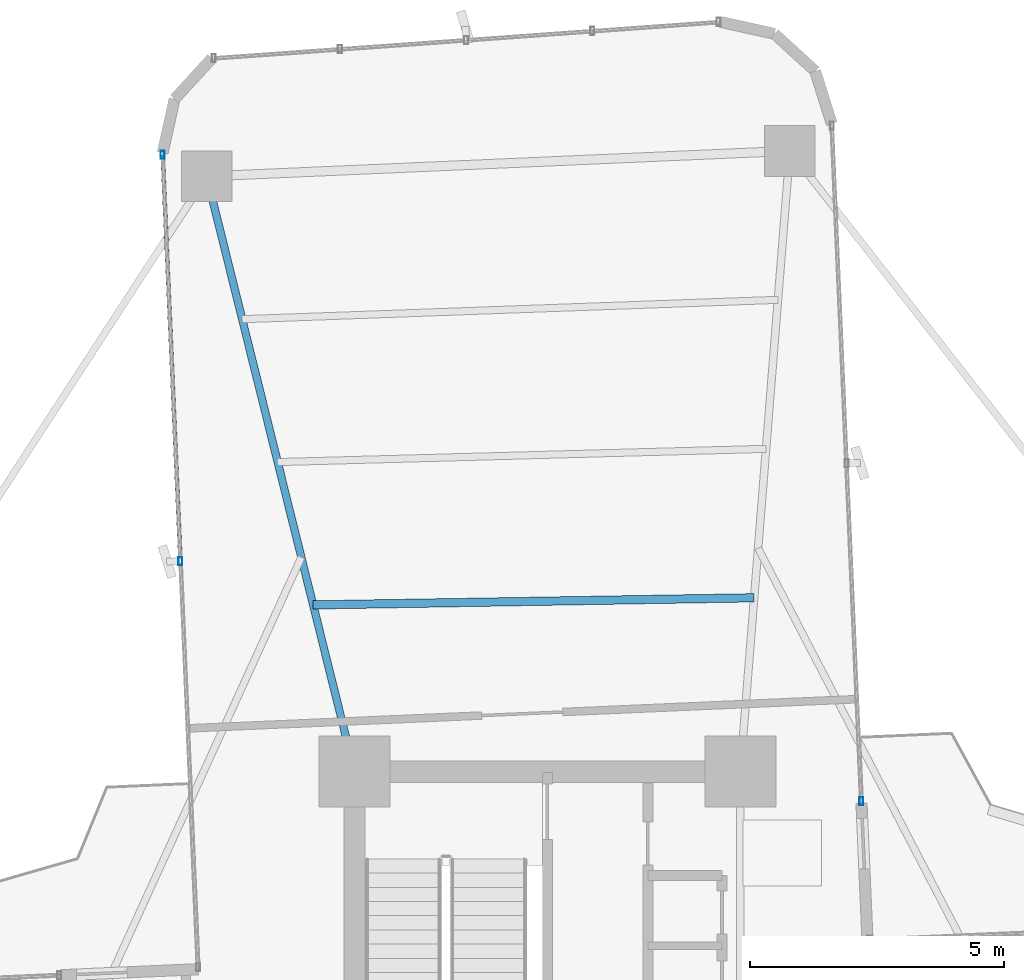
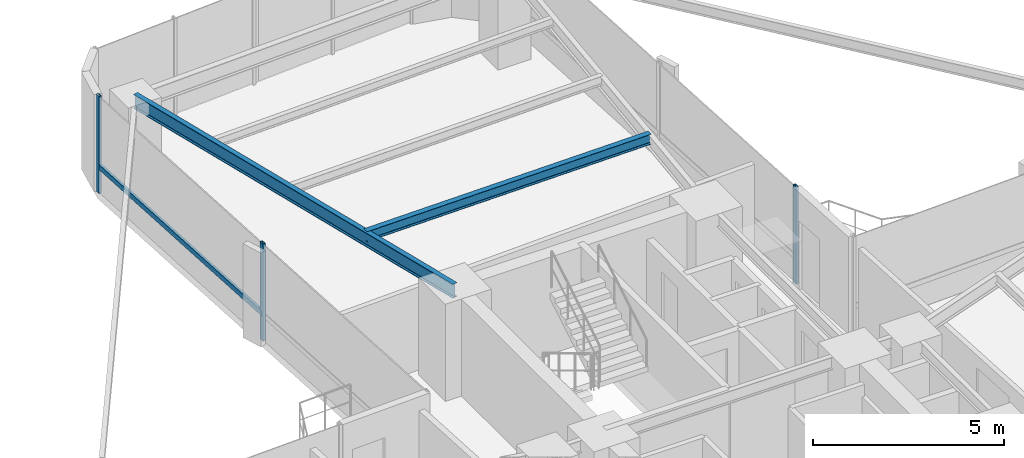
# One storey, part 17 of 26: 4 members, 2 beams, 2 elements without a shape of their own.
"""IFC4 building model written with IfcOpenShell, lengths in metres."""

from ifc_helpers import new_model, si_unit, direction, frame, origin, origin_2d, place, context, subcontext, project, spatial, hollow_rectangle, i_section, extrude, source, transform, mapped, material, material_profile, profile_set, type_object, element, aggregate, save


model = new_model("IFC4")

# Units and contexts
model_context = context("Model", 3, precision=1e-05, world=origin(), true_north=direction((0.0, 1.0)))
body_context = subcontext(model_context, "Body", "Model", "MODEL_VIEW")
ifc_project = project(units=[si_unit("LENGTHUNIT", "METRE"), si_unit("AREAUNIT", "SQUARE_METRE"), si_unit("VOLUMEUNIT", "CUBIC_METRE"), si_unit("PLANEANGLEUNIT", "RADIAN"), si_unit("MASSUNIT", "GRAM", prefix="KILO")], contexts=[model_context])

# Site, building, storey
site_placement = place(None, origin())
site = spatial("IfcSite", under=ifc_project, at=site_placement, CompositionType="ELEMENT")
building_placement = place(site_placement, origin())
building = spatial("IfcBuilding", under=site, at=building_placement, Name="Sahyath Konkavel Grand Hotel", CompositionType="ELEMENT")
storey_placement = place(building_placement, frame((0.0, 0.0, 121.5)))
storey = spatial("IfcBuildingStorey", under=building, at=storey_placement, Name="L33", CompositionType="ELEMENT", Elevation=121.5)

# Beams
ifc_material_1 = material(Name="Steel E350", Category="steel")
ifc_material_profile_1 = material_profile(ifc_material_1, i_section(OverallWidth=0.14990234375, OverallDepth=0.449951171875, WebThickness=0.009521484375, FlangeThickness=0.017333984375, FilletRadius=0.014892578125, at=origin_2d()), Name="ISMB 450")
ifc_profile_set_1 = profile_set([ifc_material_profile_1], Name="Steel E350")
beam_type_1 = type_object("IfcBeamType", Name="BM-ISMB450", PredefinedType="BEAM", material=ifc_profile_set_1)
shared_shape_1 = source(origin(), body_context, "Body", "SweptSolid", [
    extrude(i_section(OverallWidth=0.14990234375, OverallDepth=0.449951171875, WebThickness=0.009521484375, FlangeThickness=0.017333984375, FilletRadius=0.014892578125, at=origin_2d()), origin(), (0.0, 0.0, 1.0), 12.084228515625),
])
beam_1_placement = place(storey_placement, frame((-3.800048828125, 10.199951171875, 2.885009765625), z_axis=(-0.241042688481, 0.970514514229, 0.0), x_axis=(-0.970514514229, -0.241042688481, 0.0)))
element("IfcBeam", 1, at=beam_1_placement, inside=storey, type_object=beam_type_1, Name="L33 Cruciform Radial Girder NB", PredefinedType="BEAM", context=body_context, shape_type="MappedRepresentation", body=[
    mapped(shared_shape_1, transform((0.0, 0.0, 0.0), scale=1.0)),
])
ifc_material_profile_2 = material_profile(ifc_material_1, i_section(OverallWidth=0.1650390625, OverallDepth=0.324951171875, WebThickness=0.007080078125, FlangeThickness=0.009765625, FilletRadius=0.014892578125, at=origin_2d()), Name="ISLB 325")
ifc_profile_set_2 = profile_set([ifc_material_profile_2], Name="Steel E350")
beam_type_2 = type_object("IfcBeamType", Name="BM-ISLB325", PredefinedType="BEAM", material=ifc_profile_set_2)
shared_shape_2 = source(origin(), body_context, "Body", "SweptSolid", [
    extrude(i_section(OverallWidth=0.1650390625, OverallDepth=0.324951171875, WebThickness=0.007080078125, FlangeThickness=0.009765625, FilletRadius=0.014892578125, at=origin_2d()), origin(), (0.0, 0.0, 1.0), 8.68994140625),
])
beam_2_placement = place(storey_placement, frame((4.0732421875, 13.624267578125, 2.947509765625), z_axis=(-0.999869506431, -0.016154569283, 0.0), x_axis=(0.016154569283, -0.999869506431, 0.0)))
element("IfcBeam", 2, at=beam_2_placement, inside=storey, type_object=beam_type_2, Name="L33 Secondary Floor Beam N-1", PredefinedType="BEAM", context=body_context, shape_type="MappedRepresentation", body=[
    mapped(shared_shape_2, transform((0.0, 0.0, 0.0), scale=1.0)),
])

# Curtain wall, member
ifc_material_2 = material(Name="Anodised Bronze Aluminium & Low-E Glazing", Category="aluminium")
curtain_wall_type = type_object("IfcCurtainWallType", Name="CW-ZONE2", PredefinedType="NOTDEFINED", material=ifc_material_2)
curtain_wall_1_placement = place(storey_placement, origin())
curtain_wall_1 = element("IfcCurtainWall", 3, at=curtain_wall_1_placement, inside=storey, type_object=curtain_wall_type, Name="L33 Unitised Curtain Wall F8", PredefinedType="NOTDEFINED")
ifc_material_3 = material(Name="Anodised Bronze Aluminium", Category="aluminium")
ifc_material_profile_3 = material_profile(ifc_material_3, hollow_rectangle(XDim=0.080078125, YDim=0.159912109375, WallThickness=0.006103515625, at=origin_2d()), Name="RHS 160x80x6")
ifc_profile_set_3 = profile_set([ifc_material_profile_3], Name="Anodised Bronze Aluminium")
member_type_1 = type_object("IfcMemberType", Name="CW-MUL-160", PredefinedType="MULLION", material=ifc_profile_set_3)
shared_shape_3 = source(origin(), body_context, "Body", "SweptSolid", [
    extrude(hollow_rectangle(XDim=0.080078125, YDim=0.159912109375, WallThickness=0.006103515625, at=origin_2d()), origin(), (0.0, 0.0, 1.0), 3.110107421875),
])
member_1_placement = place(storey_placement, frame((6.186279296875, 9.618896484375, 0.0), z_axis=(0.0, 0.0, 1.0), x_axis=(1.0, 0.0, 0.0)))
member_1 = element("IfcMember", 4, at=member_1_placement, type_object=member_type_1, Name="L33 Curtain Wall Mullion F8-0", PredefinedType="MULLION", context=body_context, shape_type="MappedRepresentation", body=[
    mapped(shared_shape_3, transform((0.0, 0.0, 0.0), scale=1.0)),
])
aggregate(curtain_wall_1, [member_1])

# Curtain wall, members
curtain_wall_2_placement = place(storey_placement, origin())
curtain_wall_2 = element("IfcCurtainWall", 5, at=curtain_wall_2_placement, inside=storey, type_object=curtain_wall_type, Name="L33 Unitised Curtain Wall F15", PredefinedType="NOTDEFINED")
member_2_placement = place(storey_placement, frame((-7.582275390625, 22.3505859375, 0.0), z_axis=(0.0, 0.0, 1.0), x_axis=(1.0, 0.0, 0.0)))
member_2 = element("IfcMember", 6, at=member_2_placement, type_object=member_type_1, Name="L33 Curtain Wall Mullion F15-0", PredefinedType="MULLION", context=body_context, shape_type="MappedRepresentation", body=[
    mapped(shared_shape_3, transform((0.0, 0.0, 0.0), scale=1.0)),
])
member_3_placement = place(storey_placement, frame((-7.232666015625, 14.34814453125, 0.0), z_axis=(0.0, 0.0, 1.0), x_axis=(1.0, 0.0, 0.0)))
member_3 = element("IfcMember", 7, at=member_3_placement, type_object=member_type_1, Name="L33 Curtain Wall Mullion F15-1", PredefinedType="MULLION", context=body_context, shape_type="MappedRepresentation", body=[
    mapped(shared_shape_3, transform((0.0, 0.0, 0.0), scale=1.0)),
])
ifc_material_profile_4 = material_profile(ifc_material_3, hollow_rectangle(XDim=0.080078125, YDim=0.159912109375, WallThickness=0.006103515625, at=origin_2d()), Name="RHS 160x80x6")
ifc_profile_set_4 = profile_set([ifc_material_profile_4], Name="Anodised Bronze Aluminium")
member_type_2 = type_object("IfcMemberType", Name="CW-TRN-160", PredefinedType="USERDEFINED", material=ifc_profile_set_4)
shared_shape_4 = source(origin(), body_context, "Body", "SweptSolid", [
    extrude(hollow_rectangle(XDim=0.080078125, YDim=0.159912109375, WallThickness=0.006103515625, at=origin_2d()), origin(), (0.0, 0.0, 1.0), 8.010009765625),
])
member_4_placement = place(storey_placement, frame((-7.582275390625, 22.3505859375, 0.85009765625), z_axis=(0.043646207089, -0.999047050247, 0.0), x_axis=(0.999047050247, 0.043646207089, 0.0)))
member_4 = element("IfcMember", 8, at=member_4_placement, type_object=member_type_2, Name="L33 Curtain Wall Transom F15-0-spandrel", ObjectType="TRANSOM", PredefinedType="USERDEFINED", context=body_context, shape_type="MappedRepresentation", body=[
    mapped(shared_shape_4, transform((0.0, 0.0, 0.0), scale=1.0)),
])
aggregate(curtain_wall_2, [member_2, member_3, member_4])

save(model, "model.ifc")
